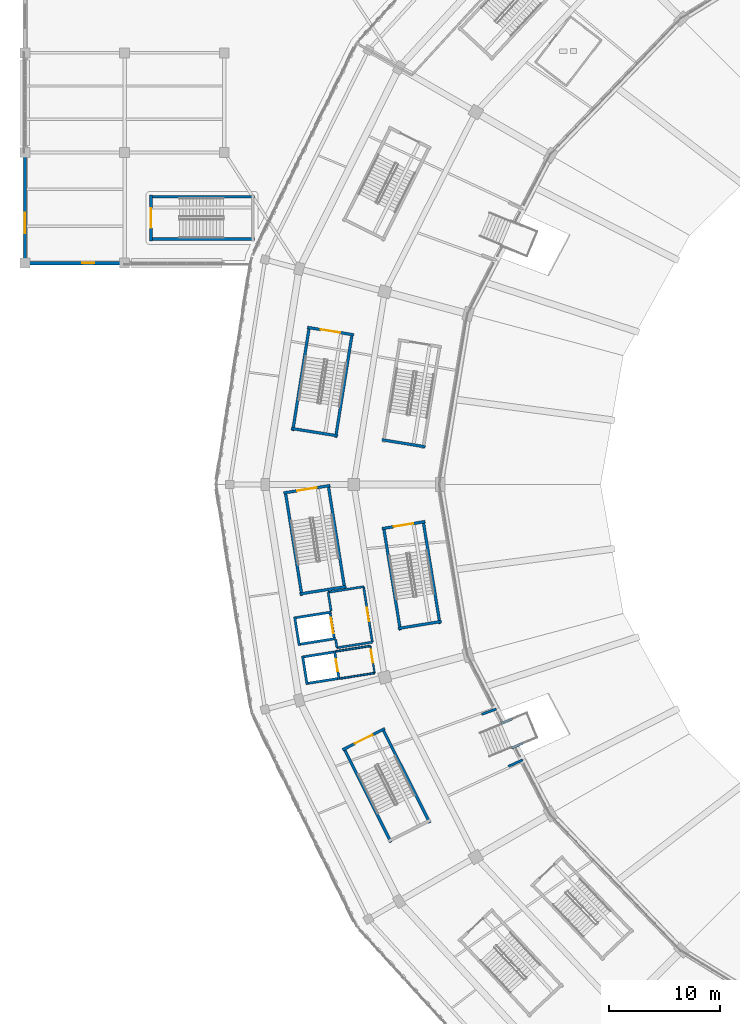
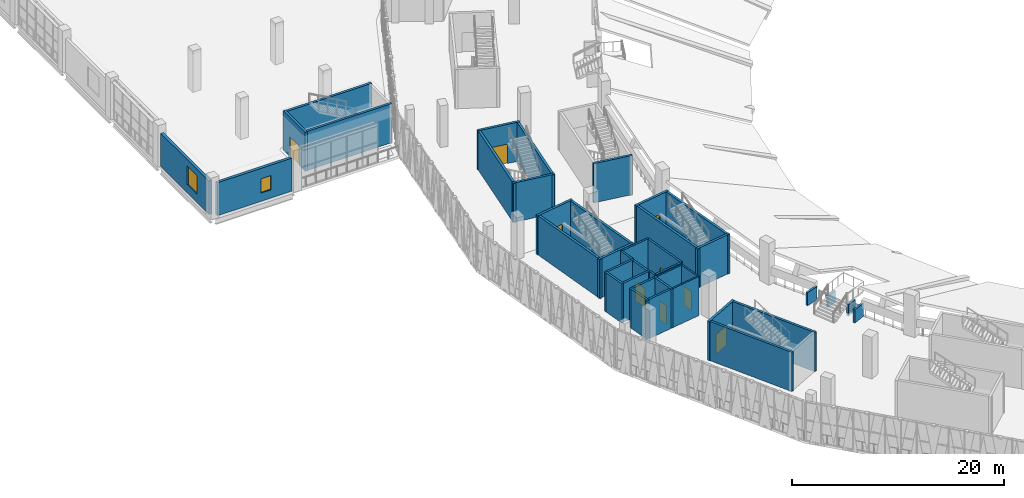
# One storey, part 100 of 183: 41 walls, 9 doors, 2 windows, 11 openings.
"""IFC4 building model written with IfcOpenShell, lengths in metres."""

from ifc_helpers import new_model, si_unit, direction, frame, frame_2d, origin, place, context, subcontext, project, spatial, rectangle, extrude, material, layer, layer_set, type_object, element, fill, save


model = new_model("IFC4")

# Units and contexts
model_context = context("Model", 3, precision=1e-05, world=origin(), true_north=direction((0.0, 1.0)))
body_context = subcontext(model_context, "Body", "Model", "MODEL_VIEW")
ifc_project = project(units=[si_unit("LENGTHUNIT", "METRE"), si_unit("AREAUNIT", "SQUARE_METRE"), si_unit("VOLUMEUNIT", "CUBIC_METRE"), si_unit("PLANEANGLEUNIT", "RADIAN"), si_unit("MASSUNIT", "GRAM", prefix="KILO")], contexts=[model_context])

# Site, building, storey
site_placement = place(None, origin())
site = spatial("IfcSite", under=ifc_project, at=site_placement, CompositionType="ELEMENT")
building_placement = place(site_placement, origin())
building = spatial("IfcBuilding", under=site, at=building_placement, Name="Zevraka Park Crest Stadium", CompositionType="ELEMENT")
storey_placement = place(building_placement, frame((0.0, 0.0, 5.39990234375)))
storey = spatial("IfcBuildingStorey", under=building, at=storey_placement, Name="L01", CompositionType="ELEMENT", Elevation=5.39990234375)

# Wall, opening, window
ifc_material_1 = material(Name="Limestone and red clay brick masonry", Category="masonry")
ifc_layer_1 = layer(ifc_material_1, 0.300048828125)
ifc_layer_set_1 = layer_set([ifc_layer_1], Name="Limestone and red clay brick masonry")
wall_type_1 = type_object("IfcWallType", Name="EW02", PredefinedType="STANDARD", material=ifc_layer_set_1)
wall_1_placement = place(storey_placement, frame((0.0, 112.425048828125, 0.0), z_axis=(0.0, 0.0, 1.0), x_axis=(0.0, 1.0, 0.0)))
wall_1 = element("IfcWall", 1, at=wall_1_placement, inside=storey, type_object=wall_type_1, Name="Wing External Cavity Wall EW02 L01-NW-W-1", PredefinedType="STANDARD", context=body_context, shape_type="SweptSolid", body=[
    extrude(rectangle(XDim=9.14990234375, YDim=0.300048828125, at=frame_2d((4.574951171875, 0.0))), origin(), (0.0, 0.0, 1.0), 3.837158203125),
])
opening_1_placement = place(wall_1_placement, frame((2.278076171875, 0.0, 0.949951171875)))
opening_1 = element("IfcOpeningElement", 2, at=opening_1_placement, cuts=wall_1, Name="Opening WN27", PredefinedType="OPENING", context=body_context, shape_type="SweptSolid", body=[
    extrude(rectangle(XDim=1.85009765625, YDim=2.14990234375, at=frame_2d((0.925048828125, 1.074951171875))), frame((0.0, 0.159912109375, 0.0), z_axis=(0.0, -1.0, 0.0), x_axis=(1.0, 0.0, 0.0)), (0.0, 0.0, 1.0), 0.320068359375),
])
ifc_material_2 = material(Name="Solar-control laminated double glazing in aluminium frame", Category="aluminium")
window_type_1 = type_object("IfcWindowType", Name="WN27", PartitioningType="SINGLE_PANEL", PredefinedType="WINDOW", material=ifc_material_2)
window_1_placement = place(opening_1_placement, origin())
window_1 = element("IfcWindow", 3, at=window_1_placement, inside=storey, type_object=window_type_1, Name="Facade Casement Window WN27 W-L01-027", OverallHeight=2.14990234375, OverallWidth=1.85009765625, PartitioningType="SINGLE_PANEL", PredefinedType="WINDOW", context=body_context, shape_type="SweptSolid", body=[
    extrude(rectangle(XDim=1.85009765625, YDim=2.14990234375, at=frame_2d((0.925048828125, 1.074951171875))), frame((0.0, 0.030029296875, 0.0), z_axis=(0.0, -1.0, 0.0), x_axis=(1.0, 0.0, 0.0)), (0.0, 0.0, 1.0), 0.06005859375),
])
fill(opening_1, window_1)

wall_2_placement = place(storey_placement, frame((8.574951171875, 112.0, 0.0), z_axis=(0.0, 0.0, 1.0), x_axis=(-1.0, 0.0, 0.0)))
wall_2 = element("IfcWall", 4, at=wall_2_placement, inside=storey, type_object=wall_type_1, Name="Wing External Cavity Wall EW02 L01-NW-S0-3", PredefinedType="STANDARD", context=body_context, shape_type="SweptSolid", body=[
    extrude(rectangle(XDim=8.14990234375, YDim=0.300048828125, at=frame_2d((4.074951171875, 0.0))), origin(), (0.0, 0.0, 1.0), 3.8037109375),
])
opening_2_placement = place(wall_2_placement, frame((2.302001953125, 0.0, 0.949951171875)))
opening_2 = element("IfcOpeningElement", 5, at=opening_2_placement, cuts=wall_2, Name="Opening WN17", PredefinedType="OPENING", context=body_context, shape_type="SweptSolid", body=[
    extrude(rectangle(XDim=1.10009765625, YDim=1.64990234375, at=frame_2d((0.550048828125, 0.824951171875))), frame((0.0, 0.159912109375, 0.0), z_axis=(0.0, -1.0, 0.0), x_axis=(1.0, 0.0, 0.0)), (0.0, 0.0, 1.0), 0.320068359375),
])
ifc_material_3 = material(Name="Solar-control laminated double glazing in aluminium frame", Category="aluminium")
window_type_2 = type_object("IfcWindowType", Name="WN17", PartitioningType="SINGLE_PANEL", PredefinedType="WINDOW", material=ifc_material_3)
window_2_placement = place(opening_2_placement, origin())
window_2 = element("IfcWindow", 6, at=window_2_placement, inside=storey, type_object=window_type_2, Name="Facade Casement Window WN17 W-L01-058", OverallHeight=1.64990234375, OverallWidth=1.10009765625, PartitioningType="SINGLE_PANEL", PredefinedType="WINDOW", context=body_context, shape_type="SweptSolid", body=[
    extrude(rectangle(XDim=1.10009765625, YDim=1.64990234375, at=frame_2d((0.550048828125, 0.824951171875))), frame((0.0, 0.030029296875, 0.0), z_axis=(0.0, -1.0, 0.0), x_axis=(1.0, 0.0, 0.0)), (0.0, 0.0, 1.0), 0.06005859375),
])
fill(opening_2, window_2)

# Walls
ifc_material_4 = material(Name="Autoclaved aerated masonry blockwork", Category="masonry")
ifc_layer_2 = layer(ifc_material_4, 0.199951171875)
ifc_layer_set_2 = layer_set([ifc_layer_2], Name="Autoclaved aerated masonry blockwork")
wall_type_2 = type_object("IfcWallType", Name="IW01", PredefinedType="PARTITIONING", material=ifc_layer_set_2)
wall_3_placement = place(storey_placement, frame((28.18310546875, 77.256103515625, 0.0), z_axis=(0.0, 0.0, 1.0), x_axis=(-0.157482870509, 0.987521719, 0.0)))
element("IfcWall", 7, at=wall_3_placement, inside=storey, type_object=wall_type_2, Name="Firefighting Lift Lobby Wall IW01 FL03 L01 BACKL", PredefinedType="PARTITIONING", context=body_context, shape_type="SweptSolid", body=[
    extrude(rectangle(XDim=0.750244140625, YDim=0.199951171875, at=frame_2d((0.375, 0.0))), origin(), (0.0, 0.0, 1.0), 4.5),
])
wall_4_placement = place(storey_placement, frame((27.656982421875, 80.56396484375, 0.0), z_axis=(0.0, 0.0, 1.0), x_axis=(-0.156960903537, 0.987604817101, 0.0)))
element("IfcWall", 8, at=wall_4_placement, inside=storey, type_object=wall_type_2, Name="Firefighting Lift Lobby Wall IW01 FL03 L01 BACKR", PredefinedType="PARTITIONING", context=body_context, shape_type="SweptSolid", body=[
    extrude(rectangle(XDim=1.72021484375, YDim=0.199951171875, at=frame_2d((0.860107421875, 0.0))), origin(), (0.0, 0.0, 1.0), 4.5),
])
wall_5_placement = place(storey_placement, frame((28.18310546875, 77.256103515625, 0.0), z_axis=(0.0, 0.0, 1.0), x_axis=(0.987633675984, 0.156779214382, 0.0)))
element("IfcWall", 9, at=wall_5_placement, inside=storey, type_object=wall_type_2, Name="Firefighting Lift Lobby Wall IW01 FL03 L01 LEFT", PredefinedType="PARTITIONING", context=body_context, shape_type="SweptSolid", body=[
    extrude(rectangle(XDim=3.239013671875, YDim=0.199951171875, at=frame_2d((1.61962890625, 0.0))), origin(), (0.0, 0.0, 1.0), 4.5),
])
wall_6_placement = place(storey_placement, frame((27.386962890625, 82.262939453125, 0.0), z_axis=(0.0, 0.0, 1.0), x_axis=(0.987629416648, 0.156806043797, 0.0)))
element("IfcWall", 10, at=wall_6_placement, inside=storey, type_object=wall_type_2, Name="Firefighting Lift Lobby Wall IW01 FL03 L01 RIGHT", PredefinedType="PARTITIONING", context=body_context, shape_type="SweptSolid", body=[
    extrude(rectangle(XDim=3.239990234375, YDim=0.199951171875, at=frame_2d((1.6201171875, 0.0))), origin(), (0.0, 0.0, 1.0), 4.5),
])

# Wall, opening, door
wall_7_placement = place(storey_placement, frame((31.382080078125, 77.763916015625, 0.0), z_axis=(0.0, 0.0, 1.0), x_axis=(-0.156842848291, 0.987623572491, 0.0)))
wall_7 = element("IfcWall", 11, at=wall_7_placement, inside=storey, type_object=wall_type_2, Name="Firefighting Lift Lobby Wall IW01 FL03 L01 FRONT", PredefinedType="PARTITIONING", context=body_context, shape_type="SweptSolid", body=[
    extrude(rectangle(XDim=5.06982421875, YDim=0.199951171875, at=frame_2d((2.534912109375, 0.0))), origin(), (0.0, 0.0, 1.0), 4.5),
])
opening_3_placement = place(wall_7_placement, frame((1.909912109375, 0.0, 0.0)))
opening_3 = element("IfcOpeningElement", 12, at=opening_3_placement, cuts=wall_7, Name="Opening D-L01-308", PredefinedType="OPENING", context=body_context, shape_type="SweptSolid", body=[
    extrude(rectangle(XDim=1.25, YDim=2.199951171875, at=frame_2d((0.625, 1.10009765625))), frame((0.0, 0.10986328125, 0.0), z_axis=(0.0, -1.0, 0.0), x_axis=(1.0, 0.0, 0.0)), (0.0, 0.0, 1.0), 0.219970703125),
])
ifc_material_5 = material(Name="Solid-core hardwood timber leaf in steel frame", Category="steel")
door_type_1 = type_object("IfcDoorType", Name="DR07", OperationType="NOTDEFINED", PredefinedType="DOOR", material=ifc_material_5)
door_1_placement = place(opening_3_placement, origin())
door_1 = element("IfcDoor", 13, at=door_1_placement, inside=storey, type_object=door_type_1, Name="Firefighting Lift Lobby FL03 Door D-L01-308", OperationType="SINGLE_SWING_RIGHT", OverallHeight=2.199951171875, OverallWidth=1.25, PredefinedType="DOOR", context=body_context, shape_type="SweptSolid", body=[
    extrude(rectangle(XDim=1.25, YDim=2.199951171875, at=frame_2d((0.625, 1.10009765625))), frame((0.0, 0.02490234375, 0.0), z_axis=(0.0, -1.0, 0.0), x_axis=(1.0, 0.0, 0.0)), (0.0, 0.0, 1.0), 0.050048828125),
])
fill(opening_3, door_1)

# Walls
ifc_material_6 = material(Name="Fire-rated twin-stud acoustic drywall", Category="other")
ifc_layer_3 = layer(ifc_material_6, 0.159912109375)
ifc_layer_set_3 = layer_set([ifc_layer_3], Name="Fire-rated twin-stud acoustic drywall")
wall_type_3 = type_object("IfcWallType", Name="IW02", PredefinedType="PARTITIONING", material=ifc_layer_set_3)
wall_8_placement = place(storey_placement, frame((28.452880859375, 74.472900390625, 0.0), z_axis=(0.0, 0.0, 1.0), x_axis=(0.987632121619, 0.156789005818, 0.0)))
element("IfcWall", 14, at=wall_8_placement, inside=storey, type_object=wall_type_3, Name="Passenger Lift Lobby Wall IW02 PL03 L01 LEFT", PredefinedType="PARTITIONING", context=body_context, shape_type="SweptSolid", body=[
    extrude(rectangle(XDim=3.17041015625, YDim=0.159912109375, at=frame_2d((1.585205078125, 0.0))), origin(), (0.0, 0.0, 1.0), 4.5),
])
wall_9_placement = place(storey_placement, frame((28.06396484375, 76.923095703125, 0.0), z_axis=(0.0, 0.0, 1.0), x_axis=(0.987644043639, 0.156713889186, 0.0)))
element("IfcWall", 15, at=wall_9_placement, inside=storey, type_object=wall_type_3, Name="Passenger Lift Lobby Wall IW02 PL03 L01 RIGHT", PredefinedType="PARTITIONING", context=body_context, shape_type="SweptSolid", body=[
    extrude(rectangle(XDim=3.170166015625, YDim=0.159912109375, at=frame_2d((1.5849609375, 0.0))), origin(), (0.0, 0.0, 1.0), 4.5),
])

# Wall, opening, door
wall_10_placement = place(storey_placement, frame((31.583984375, 74.969970703125, 0.0), z_axis=(0.0, 0.0, 1.0), x_axis=(-0.156781258489, 0.987633351496, 0.0)))
wall_10 = element("IfcWall", 16, at=wall_10_placement, inside=storey, type_object=wall_type_3, Name="Passenger Lift Lobby Wall IW02 PL03 L01 FRONT", PredefinedType="PARTITIONING", context=body_context, shape_type="SweptSolid", body=[
    extrude(rectangle(XDim=2.480712890625, YDim=0.159912109375, at=frame_2d((1.240234375, 0.0))), origin(), (0.0, 0.0, 1.0), 4.5),
])
opening_4_placement = place(wall_10_placement, frame((0.962890625, 0.0, 0.0)))
opening_4 = element("IfcOpeningElement", 17, at=opening_4_placement, cuts=wall_10, Name="Opening D-L01-314", PredefinedType="OPENING", context=body_context, shape_type="SweptSolid", body=[
    extrude(rectangle(XDim=1.14990234375, YDim=2.199951171875, at=frame_2d((0.574951171875, 1.10009765625))), frame((0.0, 0.08984375, 0.0), z_axis=(0.0, -1.0, 0.0), x_axis=(1.0, 0.0, 0.0)), (0.0, 0.0, 1.0), 0.179931640625),
])
ifc_material_7 = material(Name="Solid-core hardwood timber leaf in steel frame", Category="steel")
door_type_2 = type_object("IfcDoorType", Name="DR03", OperationType="NOTDEFINED", PredefinedType="DOOR", material=ifc_material_7)
door_2_placement = place(opening_4_placement, origin())
door_2 = element("IfcDoor", 18, at=door_2_placement, inside=storey, type_object=door_type_2, Name="Passenger Lift Lobby PL03 Door D-L01-314", OperationType="SINGLE_SWING_RIGHT", OverallHeight=2.199951171875, OverallWidth=1.14990234375, PredefinedType="DOOR", context=body_context, shape_type="SweptSolid", body=[
    extrude(rectangle(XDim=1.14990234375, YDim=2.199951171875, at=frame_2d((0.574951171875, 1.10009765625))), frame((0.0, 0.02490234375, 0.0), z_axis=(0.0, -1.0, 0.0), x_axis=(1.0, 0.0, 0.0)), (0.0, 0.0, 1.0), 0.050048828125),
])
fill(opening_4, door_2)

# Walls
ifc_material_8 = material(Name="Concrete C40/50", Category="concrete")
ifc_layer_4 = layer(ifc_material_8, 0.25)
ifc_layer_set_4 = layer_set([ifc_layer_4], Name="Concrete C40/50")
wall_type_4 = type_object("IfcWallType", Name="SW01", PredefinedType="SHEAR", material=ifc_layer_set_4)
for number, where, z_axis, x_axis, name in (
    (19, (25.69140625, 106.28955078125, 0.0), (0.0, 0.0, 1.0), (-0.157272580499, -0.987555231581, 0.0), "Stair Core Shear Wall SW01 ST12 L01 left"),
    (20, (28.060791015625, 96.241943359375, 0.0), (0.0, 0.0, 1.0), (0.157247648214, 0.987559201836, 0.0), "Stair Core Shear Wall SW01 ST12 L01 right"),
):
    element("IfcWall", number, at=place(storey_placement, frame(where, z_axis=z_axis, x_axis=x_axis)), inside=storey, type_object=wall_type_4, Name=name, PredefinedType="SHEAR", context=body_context, shape_type="SweptSolid", body=[
        extrude(rectangle(XDim=9.550048828125, YDim=0.25, at=frame_2d((4.77490234375, 0.0))), origin(), (0.0, 0.0, 1.0), 4.52001953125),
    ])

# Wall, opening, door
wall_11_placement = place(storey_placement, frame((29.710693359375, 105.522705078125, 0.0), z_axis=(0.0, 0.0, 1.0), x_axis=(-0.987548759282, 0.157313216355, 0.0)))
wall_11 = element("IfcWall", 21, at=wall_11_placement, inside=storey, type_object=wall_type_4, Name="Stair Core Shear Wall SW01 ST12 L01 near", PredefinedType="SHEAR", context=body_context, shape_type="SweptSolid", body=[
    extrude(rectangle(XDim=4.260009765625, YDim=0.25, at=frame_2d((2.1298828125, 0.0))), origin(), (0.0, 0.0, 1.0), 4.52001953125),
])
opening_5_placement = place(wall_11_placement, frame((1.22998046875, 0.0, 0.0)))
opening_5 = element("IfcOpeningElement", 22, at=opening_5_placement, cuts=wall_11, Name="Opening D-L01-070", PredefinedType="OPENING", context=body_context, shape_type="SweptSolid", body=[
    extrude(rectangle(XDim=1.800048828125, YDim=2.25, at=frame_2d((0.89990234375, 1.125))), frame((0.0, 0.135009765625, 0.0), z_axis=(0.0, -1.0, 0.0), x_axis=(1.0, 0.0, 0.0)), (0.0, 0.0, 1.0), 0.27001953125),
])
ifc_material_9 = material(Name="Solid-core hardwood timber leaf in steel frame", Category="steel")
door_type_3 = type_object("IfcDoorType", Name="DR04", OperationType="NOTDEFINED", PredefinedType="DOOR", material=ifc_material_9)
door_3_placement = place(opening_5_placement, origin())
door_3 = element("IfcDoor", 23, at=door_3_placement, inside=storey, type_object=door_type_3, Name="Protected Stair Entry Door ST12 L01", OperationType="DOUBLE_DOOR_SINGLE_SWING", OverallHeight=2.25, OverallWidth=1.800048828125, PredefinedType="DOOR", context=body_context, shape_type="SweptSolid", body=[
    extrude(rectangle(XDim=1.800048828125, YDim=2.25, at=frame_2d((0.89990234375, 1.125))), frame((0.0, 0.02490234375, 0.0), z_axis=(0.0, -1.0, 0.0), x_axis=(1.0, 0.0, 0.0)), (0.0, 0.0, 1.0), 0.050048828125),
])
fill(opening_5, door_3)

# Walls
wall_12_placement = place(storey_placement, frame((24.05078125, 97.067626953125, 0.0), z_axis=(0.0, 0.0, 1.0), x_axis=(0.987556243614, -0.157266225551, 0.0)))
element("IfcWall", 24, at=wall_12_placement, inside=storey, type_object=wall_type_4, Name="Stair Core Shear Wall SW01 ST12 L01 far", PredefinedType="SHEAR", context=body_context, shape_type="SweptSolid", body=[
    extrude(rectangle(XDim=4.259765625, YDim=0.25, at=frame_2d((2.1298828125, 0.0))), origin(), (0.0, 0.0, 1.0), 4.52001953125),
])
for number, where, z_axis, x_axis, name in (
    (25, (23.513671875, 91.388427734375, 0.0), (0.0, 0.0, 1.0), (0.157268610044, -0.987555863886, 0.0), "Stair Core Shear Wall SW01 ST13 L01 left"),
    (26, (28.88671875, 82.573486328125, 0.0), (0.0, 0.0, 1.0), (-0.157243678356, 0.987559833943, 0.0), "Stair Core Shear Wall SW01 ST13 L01 right"),
):
    element("IfcWall", number, at=place(storey_placement, frame(where, z_axis=z_axis, x_axis=x_axis)), inside=storey, type_object=wall_type_4, Name=name, PredefinedType="SHEAR", context=body_context, shape_type="SweptSolid", body=[
        extrude(rectangle(XDim=9.55029296875, YDim=0.25, at=frame_2d((4.775146484375, 0.0))), origin(), (0.0, 0.0, 1.0), 4.52001953125),
    ])

# Wall, opening, door
wall_13_placement = place(storey_placement, frame((27.572509765625, 91.907958984375, 0.0), z_axis=(0.0, 0.0, 1.0), x_axis=(-0.987557660991, -0.157257324847, 0.0)))
wall_13 = element("IfcWall", 27, at=wall_13_placement, inside=storey, type_object=wall_type_4, Name="Stair Core Shear Wall SW01 ST13 L01 near", PredefinedType="SHEAR", context=body_context, shape_type="SweptSolid", body=[
    extrude(rectangle(XDim=4.260009765625, YDim=0.25, at=frame_2d((2.1298828125, 0.0))), origin(), (0.0, 0.0, 1.0), 4.52001953125),
])
opening_6_placement = place(wall_13_placement, frame((1.22998046875, 0.0, 0.0)))
opening_6 = element("IfcOpeningElement", 28, at=opening_6_placement, cuts=wall_13, Name="Opening D-L01-075", PredefinedType="OPENING", context=body_context, shape_type="SweptSolid", body=[
    extrude(rectangle(XDim=1.800048828125, YDim=2.25, at=frame_2d((0.89990234375, 1.125))), frame((0.0, 0.135009765625, 0.0), z_axis=(0.0, -1.0, 0.0), x_axis=(1.0, 0.0, 0.0)), (0.0, 0.0, 1.0), 0.27001953125),
])
door_4_placement = place(opening_6_placement, origin())
door_4 = element("IfcDoor", 29, at=door_4_placement, inside=storey, type_object=door_type_3, Name="Protected Stair Entry Door ST13 L01", OperationType="DOUBLE_DOOR_SINGLE_SWING", OverallHeight=2.25, OverallWidth=1.800048828125, PredefinedType="DOOR", context=body_context, shape_type="SweptSolid", body=[
    extrude(rectangle(XDim=1.800048828125, YDim=2.25, at=frame_2d((0.89990234375, 1.125))), frame((0.0, 0.02490234375, 0.0), z_axis=(0.0, -1.0, 0.0), x_axis=(1.0, 0.0, 0.0)), (0.0, 0.0, 1.0), 0.050048828125),
])
fill(opening_6, door_4)

# Walls
wall_14_placement = place(storey_placement, frame((24.818603515625, 82.113037109375, 0.0), z_axis=(0.0, 0.0, 1.0), x_axis=(0.987557660991, 0.157257324847, 0.0)))
element("IfcWall", 30, at=wall_14_placement, inside=storey, type_object=wall_type_4, Name="Stair Core Shear Wall SW01 ST13 L01 far", PredefinedType="SHEAR", context=body_context, shape_type="SweptSolid", body=[
    extrude(rectangle(XDim=4.260009765625, YDim=0.25, at=frame_2d((2.1298828125, 0.0))), origin(), (0.0, 0.0, 1.0), 4.52001953125),
])
for number, where, z_axis, x_axis, name in (
    (31, (28.785400390625, 68.2255859375, 0.0), (0.0, 0.0, 1.0), (0.447919041961, -0.894074119885, 0.0), "Stair Core Shear Wall SW01 ST14 L01 left"),
    (32, (36.56787109375, 61.443115234375, 0.0), (0.0, 0.0, 1.0), (-0.447919041961, 0.894074119885, 0.0), "Stair Core Shear Wall SW01 ST14 L01 right"),
):
    element("IfcWall", number, at=place(storey_placement, frame(where, z_axis=z_axis, x_axis=x_axis)), inside=storey, type_object=wall_type_4, Name=name, PredefinedType="SHEAR", context=body_context, shape_type="SweptSolid", body=[
        extrude(rectangle(XDim=9.5498046875, YDim=0.25, at=frame_2d((4.77490234375, 0.0))), origin(), (0.0, 0.0, 1.0), 4.52001953125),
    ])

# Wall, opening, door
wall_15_placement = place(storey_placement, frame((32.498291015625, 69.94580078125, 0.0), z_axis=(0.0, 0.0, 1.0), x_axis=(-0.89409454548, -0.447878268888, 0.0)))
wall_15 = element("IfcWall", 33, at=wall_15_placement, inside=storey, type_object=wall_type_4, Name="Stair Core Shear Wall SW01 ST14 L01 near", PredefinedType="SHEAR", context=body_context, shape_type="SweptSolid", body=[
    extrude(rectangle(XDim=4.260009765625, YDim=0.25, at=frame_2d((2.1298828125, 0.0))), origin(), (0.0, 0.0, 1.0), 4.52001953125),
])
opening_7_placement = place(wall_15_placement, frame((1.22998046875, 0.0, 0.0)))
opening_7 = element("IfcOpeningElement", 34, at=opening_7_placement, cuts=wall_15, Name="Opening D-L01-082", PredefinedType="OPENING", context=body_context, shape_type="SweptSolid", body=[
    extrude(rectangle(XDim=1.800048828125, YDim=2.25, at=frame_2d((0.89990234375, 1.125))), frame((0.0, 0.135009765625, 0.0), z_axis=(0.0, -1.0, 0.0), x_axis=(1.0, 0.0, 0.0)), (0.0, 0.0, 1.0), 0.27001953125),
])
door_5_placement = place(opening_7_placement, origin())
door_5 = element("IfcDoor", 35, at=door_5_placement, inside=storey, type_object=door_type_3, Name="Protected Stair Entry Door ST14 L01", OperationType="DOUBLE_DOOR_SINGLE_SWING", OverallHeight=2.25, OverallWidth=1.800048828125, PredefinedType="DOOR", context=body_context, shape_type="SweptSolid", body=[
    extrude(rectangle(XDim=1.800048828125, YDim=2.25, at=frame_2d((0.89990234375, 1.125))), frame((0.0, 0.02490234375, 0.0), z_axis=(0.0, -1.0, 0.0), x_axis=(1.0, 0.0, 0.0)), (0.0, 0.0, 1.0), 0.050048828125),
])
fill(opening_7, door_5)

# Walls
wall_16_placement = place(storey_placement, frame((32.25244140625, 96.042236328125, 0.0), z_axis=(0.0, 0.0, 1.0), x_axis=(0.987008406822, -0.160668618163, 0.0)))
element("IfcWall", 36, at=wall_16_placement, inside=storey, type_object=wall_type_4, Name="Stair Core Shear Wall SW01 ST38 L01 far", PredefinedType="SHEAR", context=body_context, shape_type="SweptSolid", body=[
    extrude(rectangle(XDim=3.9599609375, YDim=0.25, at=frame_2d((1.97998046875, 0.0))), origin(), (0.0, 0.0, 1.0), 4.52001953125),
])
wall_17_placement = place(storey_placement, frame((32.389892578125, 88.16796875, 0.0), z_axis=(0.0, 0.0, 1.0), x_axis=(0.160694331821, -0.987004220721, 0.0)))
element("IfcWall", 37, at=wall_17_placement, inside=storey, type_object=wall_type_4, Name="Stair Core Shear Wall SW01 ST39 L01 left", PredefinedType="SHEAR", context=body_context, shape_type="SweptSolid", body=[
    extrude(rectangle(XDim=9.449951171875, YDim=0.25, at=frame_2d((4.72509765625, 0.0))), origin(), (0.0, 0.0, 1.0), 4.52001953125),
])
wall_18_placement = place(storey_placement, frame((37.4814453125, 79.42236328125, 0.0), z_axis=(0.0, 0.0, 1.0), x_axis=(-0.160690234322, 0.987004887827, 0.0)))
element("IfcWall", 38, at=wall_18_placement, inside=storey, type_object=wall_type_4, Name="Stair Core Shear Wall SW01 ST39 L01 right", PredefinedType="SHEAR", context=body_context, shape_type="SweptSolid", body=[
    extrude(rectangle(XDim=9.4501953125, YDim=0.25, at=frame_2d((4.72509765625, 0.0))), origin(), (0.0, 0.0, 1.0), 4.52001953125),
])

# Wall, opening, door
wall_19_placement = place(storey_placement, frame((36.150634765625, 88.653564453125, 0.0), z_axis=(0.0, 0.0, 1.0), x_axis=(-0.986998628025, -0.160728679072, 0.0)))
wall_19 = element("IfcWall", 39, at=wall_19_placement, inside=storey, type_object=wall_type_4, Name="Stair Core Shear Wall SW01 ST39 L01 near", PredefinedType="SHEAR", context=body_context, shape_type="SweptSolid", body=[
    extrude(rectangle(XDim=3.9599609375, YDim=0.25, at=frame_2d((1.97998046875, 0.0))), origin(), (0.0, 0.0, 1.0), 4.52001953125),
])
opening_8_placement = place(wall_19_placement, frame((1.080078125, 0.0, 0.0)))
opening_8 = element("IfcOpeningElement", 40, at=opening_8_placement, cuts=wall_19, Name="Opening D-L01-211", PredefinedType="OPENING", context=body_context, shape_type="SweptSolid", body=[
    extrude(rectangle(XDim=1.800048828125, YDim=2.25, at=frame_2d((0.89990234375, 1.125))), frame((0.0, 0.135009765625, 0.0), z_axis=(0.0, -1.0, 0.0), x_axis=(1.0, 0.0, 0.0)), (0.0, 0.0, 1.0), 0.27001953125),
])
door_6_placement = place(opening_8_placement, origin())
door_6 = element("IfcDoor", 41, at=door_6_placement, inside=storey, type_object=door_type_3, Name="Protected Stair Entry Door ST39 L01", OperationType="DOUBLE_DOOR_SINGLE_SWING", OverallHeight=2.25, OverallWidth=1.800048828125, PredefinedType="DOOR", context=body_context, shape_type="SweptSolid", body=[
    extrude(rectangle(XDim=1.800048828125, YDim=2.25, at=frame_2d((0.89990234375, 1.125))), frame((0.0, 0.02490234375, 0.0), z_axis=(0.0, -1.0, 0.0), x_axis=(1.0, 0.0, 0.0)), (0.0, 0.0, 1.0), 0.050048828125),
])
fill(opening_8, door_6)

# Walls
wall_20_placement = place(storey_placement, frame((33.7109375, 78.99609375, 0.0), z_axis=(0.0, 0.0, 1.0), x_axis=(0.987009998221, 0.160658841684, 0.0)))
element("IfcWall", 42, at=wall_20_placement, inside=storey, type_object=wall_type_4, Name="Stair Core Shear Wall SW01 ST39 L01 far", PredefinedType="SHEAR", context=body_context, shape_type="SweptSolid", body=[
    extrude(rectangle(XDim=3.960205078125, YDim=0.25, at=frame_2d((1.97998046875, 0.0))), origin(), (0.0, 0.0, 1.0), 4.52001953125),
])
for number, where, z_axis, x_axis, name in (
    (43, (11.25, 114.169921875, 0.0), (0.0, 0.0, 1.0), (1.0, 0.0, 0.0), "Stair Core Shear Wall SW01 ST48 L01 left"),
    (44, (20.75, 117.989990234375, 0.0), (0.0, 0.0, 1.0), (-1.0, 0.0, 0.0), "Stair Core Shear Wall SW01 ST48 L01 right"),
):
    element("IfcWall", number, at=place(storey_placement, frame(where, z_axis=z_axis, x_axis=x_axis)), inside=storey, type_object=wall_type_4, Name=name, PredefinedType="SHEAR", context=body_context, shape_type="SweptSolid", body=[
        extrude(rectangle(XDim=9.5, YDim=0.25, at=frame_2d((4.75, 0.0))), origin(), (0.0, 0.0, 1.0), 4.52001953125),
    ])

# Wall, opening, door
wall_21_placement = place(storey_placement, frame((11.375, 118.159912109375, 0.0), z_axis=(0.0, 0.0, 1.0), x_axis=(0.0, -1.0, 0.0)))
wall_21 = element("IfcWall", 45, at=wall_21_placement, inside=storey, type_object=wall_type_4, Name="Stair Core Shear Wall SW01 ST48 L01 near", PredefinedType="SHEAR", context=body_context, shape_type="SweptSolid", body=[
    extrude(rectangle(XDim=4.159912109375, YDim=0.25, at=frame_2d((2.080078125, 0.0))), origin(), (0.0, 0.0, 1.0), 4.52001953125),
])
opening_9_placement = place(wall_21_placement, frame((1.179931640625, 0.0, 0.0)))
opening_9 = element("IfcOpeningElement", 46, at=opening_9_placement, cuts=wall_21, Name="Opening D-L01-250", PredefinedType="OPENING", context=body_context, shape_type="SweptSolid", body=[
    extrude(rectangle(XDim=1.800048828125, YDim=2.25, at=frame_2d((0.89990234375, 1.125))), frame((0.0, 0.135009765625, 0.0), z_axis=(0.0, -1.0, 0.0), x_axis=(1.0, 0.0, 0.0)), (0.0, 0.0, 1.0), 0.27001953125),
])
door_7_placement = place(opening_9_placement, origin())
door_7 = element("IfcDoor", 47, at=door_7_placement, inside=storey, type_object=door_type_3, Name="Protected Stair Entry Door ST48 L01", OperationType="DOUBLE_DOOR_SINGLE_SWING", OverallHeight=2.25, OverallWidth=1.800048828125, PredefinedType="DOOR", context=body_context, shape_type="SweptSolid", body=[
    extrude(rectangle(XDim=1.800048828125, YDim=2.25, at=frame_2d((0.89990234375, 1.125))), frame((0.0, 0.02490234375, 0.0), z_axis=(0.0, -1.0, 0.0), x_axis=(1.0, 0.0, 0.0)), (0.0, 0.0, 1.0), 0.050048828125),
])
fill(opening_9, door_7)

# Walls
ifc_material_10 = material(Name="Concrete C40/50", Category="concrete")
ifc_layer_5 = layer(ifc_material_10, 0.219970703125)
ifc_layer_set_5 = layer_set([ifc_layer_5], Name="Concrete C40/50")
wall_type_5 = type_object("IfcWallType", Name="SW02", PredefinedType="SHEAR", material=ifc_layer_set_5)
for number, where, z_axis, x_axis, name in (
    (48, (42.569091796875, 71.720947265625, 0.0), (0.0, 0.0, 1.0), (-0.939170864262, -0.343450269648, 0.0), "Vomitory Portal Raker Pier Wall SW02 13-1"),
    (49, (44.950927734375, 67.12890625, 0.0), (0.0, 0.0, 1.0), (-0.906956638148, -0.421223998033, 0.0), "Vomitory Portal Raker Pier Wall SW02 13-2"),
):
    element("IfcWall", number, at=place(storey_placement, frame(where, z_axis=z_axis, x_axis=x_axis)), inside=storey, type_object=wall_type_5, Name=name, PredefinedType="SHEAR", context=body_context, shape_type="SweptSolid", body=[
        extrude(rectangle(XDim=1.400390625, YDim=0.219970703125, at=frame_2d((0.7001953125, 0.0))), origin(), (0.0, 0.0, 1.0), 1.510009765625),
    ])
for number, where, z_axis, x_axis, name in (
    (50, (43.9189453125, 68.19189453125, -0.2998046875), (0.0, 0.0, 1.0), (0.923844027884, 0.382769136873, 0.0), "Vomitory Portal Support Wall SW02 VS-05-1"),
    (51, (43.0009765625, 70.409912109375, -0.2998046875), (0.0, 0.0, 1.0), (0.923844027884, 0.382769136873, 0.0), "Vomitory Portal Support Wall SW02 VS-05-2"),
):
    element("IfcWall", number, at=place(storey_placement, frame(where, z_axis=z_axis, x_axis=x_axis)), inside=storey, type_object=wall_type_5, Name=name, PredefinedType="SHEAR", context=body_context, shape_type="SweptSolid", body=[
        extrude(rectangle(XDim=1.13671875, YDim=0.219970703125, at=frame_2d((0.568359375, 0.0))), origin(), (0.0, 0.0, 1.0), 1.31982421875),
    ])
wall_22_placement = place(storey_placement, frame((24.364990234375, 80.06298828125, 0.0), z_axis=(0.0, 0.0, 1.0), x_axis=(0.156807626334, -0.987629165387, 0.0)))
element("IfcWall", 52, at=wall_22_placement, inside=storey, type_object=wall_type_5, Name="Lift Shaft Shear Wall SW02 FL03 L01-1", PredefinedType="SHEAR", context=body_context, shape_type="SweptSolid", body=[
    extrude(rectangle(XDim=2.640625, YDim=0.219970703125, at=frame_2d((1.3203125, 0.0))), origin(), (0.0, 0.0, 1.0), 4.52001953125),
])
wall_23_placement = place(storey_placement, frame((24.653076171875, 77.547119140625, 0.0), z_axis=(0.0, 0.0, 1.0), x_axis=(0.987703627881, 0.156337914372, 0.0)))
element("IfcWall", 53, at=wall_23_placement, inside=storey, type_object=wall_type_5, Name="Lift Shaft Shear Wall SW02 FL03 L01-2", PredefinedType="SHEAR", context=body_context, shape_type="SweptSolid", body=[
    extrude(rectangle(XDim=3.440185546875, YDim=0.219970703125, at=frame_2d((1.72021484375, 0.0))), origin(), (0.0, 0.0, 1.0), 4.52001953125),
])

# Wall, opening, door
wall_24_placement = place(storey_placement, frame((27.958984375, 77.958984375, 0.0), z_axis=(0.0, 0.0, 1.0), x_axis=(-0.156807626334, 0.987629165387, 0.0)))
wall_24 = element("IfcWall", 54, at=wall_24_placement, inside=storey, type_object=wall_type_5, Name="Lift Shaft Shear Wall SW02 FL03 L01-3", PredefinedType="SHEAR", context=body_context, shape_type="SweptSolid", body=[
    extrude(rectangle(XDim=2.640625, YDim=0.219970703125, at=frame_2d((1.3203125, 0.0))), origin(), (0.0, 0.0, 1.0), 4.52001953125),
])
opening_10_placement = place(wall_24_placement, frame((0.6201171875, 0.0, 0.0)))
opening_10 = element("IfcOpeningElement", 55, at=opening_10_placement, cuts=wall_24, Name="Opening LD-FL03-L01", PredefinedType="OPENING", context=body_context, shape_type="SweptSolid", body=[
    extrude(rectangle(XDim=1.39990234375, YDim=2.199951171875, at=frame_2d((0.699951171875, 1.10009765625))), frame((0.0, 0.119873046875, 0.0), z_axis=(0.0, -1.0, 0.0), x_axis=(1.0, 0.0, 0.0)), (0.0, 0.0, 1.0), 0.239990234375),
])
ifc_material_11 = material(Name="Brushed stainless steel lift landing doors", Category="steel")
door_type_4 = type_object("IfcDoorType", Name="LD01", OperationType="NOTDEFINED", PredefinedType="DOOR", material=ifc_material_11)
door_8_placement = place(opening_10_placement, origin())
door_8 = element("IfcDoor", 56, at=door_8_placement, inside=storey, type_object=door_type_4, Name="Lift Sliding Landing Door LD-FL03-L01", OperationType="SLIDING_TO_LEFT", OverallHeight=2.199951171875, OverallWidth=1.39990234375, PredefinedType="DOOR", context=body_context, shape_type="SweptSolid", body=[
    extrude(rectangle(XDim=1.39990234375, YDim=2.199951171875, at=frame_2d((0.699951171875, 1.10009765625))), frame((0.0, 0.02490234375, 0.0), z_axis=(0.0, -1.0, 0.0), x_axis=(1.0, 0.0, 0.0)), (0.0, 0.0, 1.0), 0.050048828125),
])
fill(opening_10, door_8)

# Walls
wall_25_placement = place(storey_placement, frame((27.6708984375, 80.47509765625, 0.0), z_axis=(0.0, 0.0, 1.0), x_axis=(-0.987692667337, -0.156407144619, 0.0)))
element("IfcWall", 57, at=wall_25_placement, inside=storey, type_object=wall_type_5, Name="Lift Shaft Shear Wall SW02 FL03 L01-4", PredefinedType="SHEAR", context=body_context, shape_type="SweptSolid", body=[
    extrude(rectangle(XDim=3.440185546875, YDim=0.219970703125, at=frame_2d((1.72021484375, 0.0))), origin(), (0.0, 0.0, 1.0), 4.52001953125),
])
wall_26_placement = place(storey_placement, frame((25.077880859375, 76.530029296875, 0.0), z_axis=(0.0, 0.0, 1.0), x_axis=(0.156807626334, -0.987629165387, 0.0)))
element("IfcWall", 58, at=wall_26_placement, inside=storey, type_object=wall_type_5, Name="Lift Shaft Shear Wall SW02 PL03 L01-1", PredefinedType="SHEAR", context=body_context, shape_type="SweptSolid", body=[
    extrude(rectangle(XDim=2.640625, YDim=0.219970703125, at=frame_2d((1.3203125, 0.0))), origin(), (0.0, 0.0, 1.0), 4.52001953125),
])
wall_27_placement = place(storey_placement, frame((25.365966796875, 74.013916015625, 0.0), z_axis=(0.0, 0.0, 1.0), x_axis=(0.987645460109, 0.156704962032, 0.0)))
element("IfcWall", 59, at=wall_27_placement, inside=storey, type_object=wall_type_5, Name="Lift Shaft Shear Wall SW02 PL03 L01-2", PredefinedType="SHEAR", context=body_context, shape_type="SweptSolid", body=[
    extrude(rectangle(XDim=3.140869140625, YDim=0.219970703125, at=frame_2d((1.5703125, 0.0))), origin(), (0.0, 0.0, 1.0), 4.52001953125),
])

# Wall, opening, door
wall_28_placement = place(storey_placement, frame((28.3759765625, 74.3798828125, 0.0), z_axis=(0.0, 0.0, 1.0), x_axis=(-0.156793308963, 0.987631438475, 0.0)))
wall_28 = element("IfcWall", 60, at=wall_28_placement, inside=storey, type_object=wall_type_5, Name="Lift Shaft Shear Wall SW02 PL03 L01-3", PredefinedType="SHEAR", context=body_context, shape_type="SweptSolid", body=[
    extrude(rectangle(XDim=2.640869140625, YDim=0.219970703125, at=frame_2d((1.3203125, 0.0))), origin(), (0.0, 0.0, 1.0), 4.52001953125),
])
opening_11_placement = place(wall_28_placement, frame((0.77001953125, 0.0, 0.0)))
opening_11 = element("IfcOpeningElement", 61, at=opening_11_placement, cuts=wall_28, Name="Opening LD-PL03-L01", PredefinedType="OPENING", context=body_context, shape_type="SweptSolid", body=[
    extrude(rectangle(XDim=1.10009765625, YDim=2.14990234375, at=frame_2d((0.550048828125, 1.074951171875))), frame((0.0, 0.119873046875, 0.0), z_axis=(0.0, -1.0, 0.0), x_axis=(1.0, 0.0, 0.0)), (0.0, 0.0, 1.0), 0.239990234375),
])
ifc_material_12 = material(Name="Brushed stainless steel lift landing doors", Category="steel")
door_type_5 = type_object("IfcDoorType", Name="LD02", OperationType="NOTDEFINED", PredefinedType="DOOR", material=ifc_material_12)
door_9_placement = place(opening_11_placement, origin())
door_9 = element("IfcDoor", 62, at=door_9_placement, inside=storey, type_object=door_type_5, Name="Lift Sliding Landing Door LD-PL03-L01", OperationType="SLIDING_TO_LEFT", OverallHeight=2.14990234375, OverallWidth=1.10009765625, PredefinedType="DOOR", context=body_context, shape_type="SweptSolid", body=[
    extrude(rectangle(XDim=1.10009765625, YDim=2.14990234375, at=frame_2d((0.550048828125, 1.074951171875))), frame((0.0, 0.02490234375, 0.0), z_axis=(0.0, -1.0, 0.0), x_axis=(1.0, 0.0, 0.0)), (0.0, 0.0, 1.0), 0.050048828125),
])
fill(opening_11, door_9)

# Wall
wall_29_placement = place(storey_placement, frame((28.087890625, 76.89599609375, 0.0), z_axis=(0.0, 0.0, 1.0), x_axis=(-0.98765558045, -0.156641164471, 0.0)))
element("IfcWall", 63, at=wall_29_placement, inside=storey, type_object=wall_type_5, Name="Lift Shaft Shear Wall SW02 PL03 L01-4", PredefinedType="SHEAR", context=body_context, shape_type="SweptSolid", body=[
    extrude(rectangle(XDim=3.140625, YDim=0.219970703125, at=frame_2d((1.5703125, 0.0))), origin(), (0.0, 0.0, 1.0), 4.52001953125),
])

save(model, "model.ifc")
